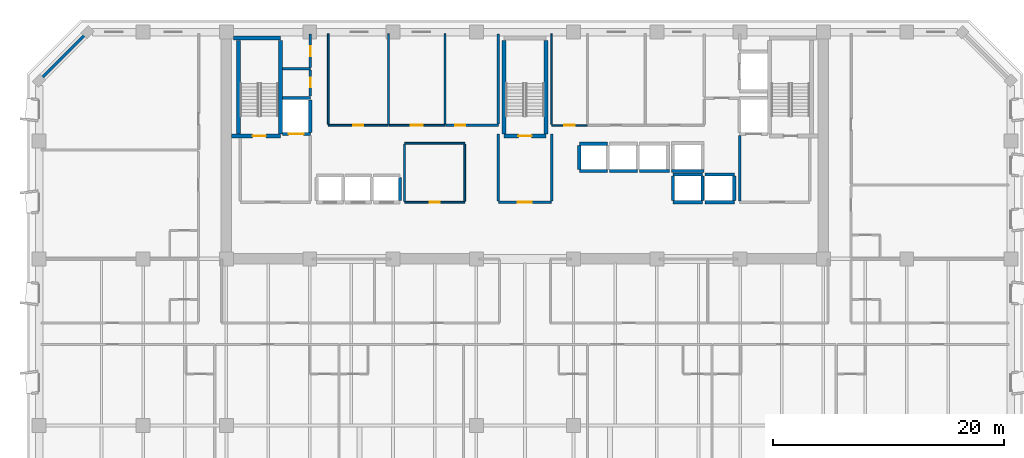
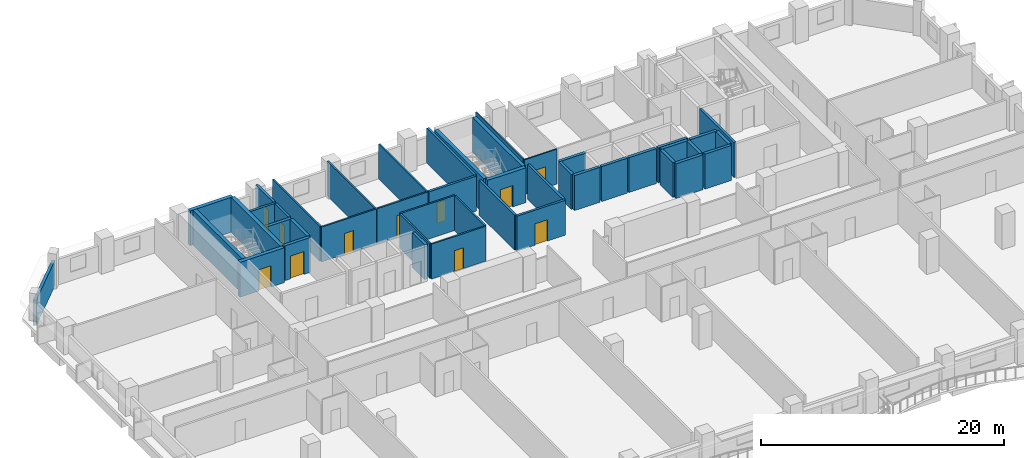
# One storey, part 7 of 15: 45 walls, 11 doors, 11 openings.
"""IFC4 building model written with IfcOpenShell, lengths in metres."""

from ifc_helpers import new_model, si_unit, direction, frame, frame_2d, origin, place, context, subcontext, project, spatial, rectangle, extrude, material, layer, layer_set, type_object, element, fill, save


model = new_model("IFC4")

# Units and contexts
model_context = context("Model", 3, precision=1e-05, world=origin(), true_north=direction((0.0, 1.0)))
body_context = subcontext(model_context, "Body", "Model", "MODEL_VIEW")
ifc_project = project(units=[si_unit("LENGTHUNIT", "METRE"), si_unit("AREAUNIT", "SQUARE_METRE"), si_unit("VOLUMEUNIT", "CUBIC_METRE"), si_unit("PLANEANGLEUNIT", "RADIAN"), si_unit("MASSUNIT", "GRAM", prefix="KILO")], contexts=[model_context])

# Site, building, storey
site_placement = place(None, origin())
site = spatial("IfcSite", under=ifc_project, at=site_placement, CompositionType="ELEMENT")
building_placement = place(site_placement, origin())
building = spatial("IfcBuilding", under=site, at=building_placement, Name="Kaelvorn Grand Hotel", CompositionType="ELEMENT")
storey_placement = place(building_placement, frame((0.0, 0.0, 100.550048828125)))
storey = spatial("IfcBuildingStorey", under=building, at=storey_placement, Name="L23", CompositionType="ELEMENT", Elevation=100.550048828125)

# Wall
ifc_material_1 = material(Name="Concrete C40/50", Category="concrete")
ifc_layer_1 = layer(ifc_material_1, 0.260009765625)
ifc_layer_set_1 = layer_set([ifc_layer_1], Name="Concrete C40/50")
wall_type_1 = type_object("IfcWallType", Name="WL-EXT-260-C40", PredefinedType="SOLIDWALL", material=ifc_layer_set_1)
wall_1_placement = place(storey_placement, frame((4.199951171875, 49.0, 0.0), z_axis=(0.0, 0.0, 1.0), x_axis=(-0.707106781187, -0.707106781187, 0.0)))
element("IfcWall", 1, at=wall_1_placement, inside=storey, type_object=wall_type_1, Name="L23 Exterior Architectural Concrete Wall 06", PredefinedType="SOLIDWALL", context=body_context, shape_type="SweptSolid", body=[
    extrude(rectangle(XDim=5.939697265625, YDim=0.260009765625, at=frame_2d((2.9697265625, 0.0))), origin(), (0.0, 0.0, 1.0), 2.56005859375),
])

# Wall, opening, door
ifc_material_2 = material(Name="Moisture-Resistant Tile & Stud Board")
ifc_layer_2 = layer(ifc_material_2, 0.125)
ifc_layer_set_2 = layer_set([ifc_layer_2], Name="Moisture-Resistant Tile & Stud Board")
wall_type_2 = type_object("IfcWallType", Name="WL-PART-125-WET", PredefinedType="PARTITIONING", material=ifc_layer_set_2)
wall_2_placement = place(storey_placement, frame((44.300048828125, 40.949951171875, 0.0), z_axis=(0.0, 0.0, 1.0), x_axis=(1.0, 0.0, 0.0)))
wall_2 = element("IfcWall", 2, at=wall_2_placement, inside=storey, type_object=wall_type_2, Name="L23 Accessible WC S Partition", PredefinedType="PARTITIONING", context=body_context, shape_type="SweptSolid", body=[
    extrude(rectangle(XDim=3.099853515625, YDim=0.125, at=frame_2d((1.5498046875, 0.0))), origin(), (0.0, 0.0, 1.0), 3.510009765625),
])
opening_1_placement = place(wall_2_placement, frame((1.10009765625, 0.0, 0.0)))
opening_1 = element("IfcOpeningElement", 3, at=opening_1_placement, cuts=wall_2, Name="Opening DI4", PredefinedType="OPENING", context=body_context, shape_type="SweptSolid", body=[
    extrude(rectangle(XDim=0.89990234375, YDim=2.10009765625, at=frame_2d((0.449951171875, 1.050048828125))), frame((0.0, 0.072509765625, 0.0), z_axis=(0.0, -1.0, 0.0), x_axis=(1.0, 0.0, 0.0)), (0.0, 0.0, 1.0), 0.14501953125),
])
ifc_material_3 = material(Name="Timber Veneer Leaf", Category="wood")
door_type_1 = type_object("IfcDoorType", Name="DR-INT-BATH-900x2100", OperationType="NOTDEFINED", PredefinedType="DOOR", material=ifc_material_3)
door_1_placement = place(opening_1_placement, origin())
door_1 = element("IfcDoor", 4, at=door_1_placement, inside=storey, type_object=door_type_1, Name="L23 Accessible WC Door", OperationType="SINGLE_SWING_LEFT", OverallHeight=2.10009765625, OverallWidth=0.89990234375, PredefinedType="DOOR", context=body_context, shape_type="SweptSolid", body=[
    extrude(rectangle(XDim=0.89990234375, YDim=2.10009765625, at=frame_2d((0.449951171875, 1.050048828125))), frame((0.0, 0.02490234375, 0.0), z_axis=(0.0, -1.0, 0.0), x_axis=(1.0, 0.0, 0.0)), (0.0, 0.0, 1.0), 0.050048828125),
])
fill(opening_1, door_1)

# Wall
wall_3_placement = place(storey_placement, frame((44.300048828125, 41.017578125, 0.0), z_axis=(0.0, 0.0, 1.0), x_axis=(0.0, 1.0, 0.0)))
element("IfcWall", 5, at=wall_3_placement, inside=storey, type_object=wall_type_2, Name="L23 Accessible WC W Partition", PredefinedType="PARTITIONING", context=body_context, shape_type="SweptSolid", body=[
    extrude(rectangle(XDim=7.83251953125, YDim=0.125, at=frame_2d((3.916259765625, 0.0))), origin(), (0.0, 0.0, 1.0), 3.510009765625),
])

# Wall, opening, door
ifc_material_4 = material(Name="Acoustic Gypsum & Stud Partition")
ifc_layer_3 = layer(ifc_material_4, 0.14990234375)
ifc_layer_set_3 = layer_set([ifc_layer_3], Name="Acoustic Gypsum & Stud Partition")
wall_type_3 = type_object("IfcWallType", Name="WL-PART-150-EI60", PredefinedType="PARTITIONING", material=ifc_layer_set_3)
wall_4_placement = place(storey_placement, frame((31.60009765625, 34.300048828125, 0.0), z_axis=(0.0, 0.0, 1.0), x_axis=(1.0, 0.0, 0.0)))
wall_4 = element("IfcWall", 6, at=wall_4_placement, inside=storey, type_object=wall_type_3, Name="L23 Core Telecoms & BMS Server Room S Partition", PredefinedType="PARTITIONING", context=body_context, shape_type="SweptSolid", body=[
    extrude(rectangle(XDim=5.199951171875, YDim=0.14990234375, at=frame_2d((2.60009765625, 0.0))), origin(), (0.0, 0.0, 1.0), 3.510009765625),
])
opening_2_placement = place(wall_4_placement, frame((2.175048828125, 0.0, 0.0)))
opening_2 = element("IfcOpeningElement", 7, at=opening_2_placement, cuts=wall_4, Name="Opening DI7", PredefinedType="OPENING", context=body_context, shape_type="SweptSolid", body=[
    extrude(rectangle(XDim=0.85009765625, YDim=2.10009765625, at=frame_2d((0.425048828125, 1.050048828125))), frame((0.0, 0.0849609375, 0.0), z_axis=(0.0, -1.0, 0.0), x_axis=(1.0, 0.0, 0.0)), (0.0, 0.0, 1.0), 0.169921875),
])
ifc_material_5 = material(Name="Powder-Coated Steel Leaf", Category="steel")
door_type_2 = type_object("IfcDoorType", Name="DR-INT-RISER-850x2100", OperationType="NOTDEFINED", PredefinedType="DOOR", material=ifc_material_5)
door_2_placement = place(opening_2_placement, origin())
door_2 = element("IfcDoor", 8, at=door_2_placement, inside=storey, type_object=door_type_2, Name="L23 Core Telecoms & BMS Server Room Door", OperationType="SINGLE_SWING_LEFT", OverallHeight=2.10009765625, OverallWidth=0.85009765625, PredefinedType="DOOR", context=body_context, shape_type="SweptSolid", body=[
    extrude(rectangle(XDim=0.85009765625, YDim=2.10009765625, at=frame_2d((0.425048828125, 1.050048828125))), frame((0.0, 0.02490234375, 0.0), z_axis=(0.0, -1.0, 0.0), x_axis=(1.0, 0.0, 0.0)), (0.0, 0.0, 1.0), 0.050048828125),
])
fill(opening_2, door_2)

# Walls
wall_5_placement = place(storey_placement, frame((31.60009765625, 39.39990234375, 0.0), z_axis=(0.0, 0.0, 1.0), x_axis=(1.0, 0.0, 0.0)))
element("IfcWall", 9, at=wall_5_placement, inside=storey, type_object=wall_type_3, Name="L23 Core Telecoms & BMS Server Room N Partition", PredefinedType="PARTITIONING", context=body_context, shape_type="SweptSolid", body=[
    extrude(rectangle(XDim=5.199951171875, YDim=0.14990234375, at=frame_2d((2.60009765625, 0.0))), origin(), (0.0, 0.0, 1.0), 3.510009765625),
])
for number, where, z_axis, x_axis, name in (
    (10, (31.60009765625, 34.3798828125, 0.0), (0.0, 0.0, 1.0), (0.0, 1.0, 0.0), "L23 Core Telecoms & BMS Server Room W Partition"),
    (11, (36.800048828125, 34.3798828125, 0.0), (0.0, 0.0, 1.0), (0.0, 1.0, 0.0), "L23 Core Telecoms & BMS Server Room E Partition"),
):
    element("IfcWall", number, at=place(storey_placement, frame(where, z_axis=z_axis, x_axis=x_axis)), inside=storey, type_object=wall_type_3, Name=name, PredefinedType="PARTITIONING", context=body_context, shape_type="SweptSolid", body=[
        extrude(rectangle(XDim=4.940185546875, YDim=0.14990234375, at=frame_2d((2.47021484375, 0.0))), origin(), (0.0, 0.0, 1.0), 3.510009765625),
    ])

# Wall, opening, door
wall_6_placement = place(storey_placement, frame((25.0, 40.949951171875, 0.0), z_axis=(0.0, 0.0, 1.0), x_axis=(1.0, 0.0, 0.0)))
wall_6 = element("IfcWall", 12, at=wall_6_placement, inside=storey, type_object=wall_type_3, Name="L23 Housekeeping & Linen Room S Partition", PredefinedType="PARTITIONING", context=body_context, shape_type="SweptSolid", body=[
    extrude(rectangle(XDim=5.199951171875, YDim=0.14990234375, at=frame_2d((2.60009765625, 0.0))), origin(), (0.0, 0.0, 1.0), 3.510009765625),
])
opening_3_placement = place(wall_6_placement, frame((2.175048828125, 0.0, 0.0)))
opening_3 = element("IfcOpeningElement", 13, at=opening_3_placement, cuts=wall_6, Name="Opening DI7", PredefinedType="OPENING", context=body_context, shape_type="SweptSolid", body=[
    extrude(rectangle(XDim=0.85009765625, YDim=2.10009765625, at=frame_2d((0.425048828125, 1.050048828125))), frame((0.0, 0.0849609375, 0.0), z_axis=(0.0, -1.0, 0.0), x_axis=(1.0, 0.0, 0.0)), (0.0, 0.0, 1.0), 0.169921875),
])
door_3_placement = place(opening_3_placement, origin())
door_3 = element("IfcDoor", 14, at=door_3_placement, inside=storey, type_object=door_type_2, Name="L23 Housekeeping & Linen Room Door", OperationType="SINGLE_SWING_RIGHT", OverallHeight=2.10009765625, OverallWidth=0.85009765625, PredefinedType="DOOR", context=body_context, shape_type="SweptSolid", body=[
    extrude(rectangle(XDim=0.85009765625, YDim=2.10009765625, at=frame_2d((0.425048828125, 1.050048828125))), frame((0.0, 0.02490234375, 0.0), z_axis=(0.0, -1.0, 0.0), x_axis=(1.0, 0.0, 0.0)), (0.0, 0.0, 1.0), 0.050048828125),
])
fill(opening_3, door_3)

# Walls
for number, where, z_axis, x_axis, name in (
    (15, (25.0, 41.030029296875, 0.0), (0.0, 0.0, 1.0), (0.0, 1.0, 0.0), "L23 Housekeeping & Linen Room W Partition"),
    (16, (30.199951171875, 41.030029296875, 0.0), (0.0, 0.0, 1.0), (0.0, 1.0, 0.0), "L23 Housekeeping & Linen Room E Partition"),
):
    element("IfcWall", number, at=place(storey_placement, frame(where, z_axis=z_axis, x_axis=x_axis)), inside=storey, type_object=wall_type_3, Name=name, PredefinedType="PARTITIONING", context=body_context, shape_type="SweptSolid", body=[
        extrude(rectangle(XDim=7.820068359375, YDim=0.14990234375, at=frame_2d((3.91015625, 0.0))), origin(), (0.0, 0.0, 1.0), 3.510009765625),
    ])

# Wall, opening, door
wall_7_placement = place(storey_placement, frame((30.280029296875, 40.949951171875, 0.0), z_axis=(0.0, 0.0, 1.0), x_axis=(1.0, 0.0, 0.0)))
wall_7 = element("IfcWall", 17, at=wall_7_placement, inside=storey, type_object=wall_type_3, Name="L23 Room Service Servery Pantry S Partition", PredefinedType="PARTITIONING", context=body_context, shape_type="SweptSolid", body=[
    extrude(rectangle(XDim=4.820068359375, YDim=0.14990234375, at=frame_2d((2.41015625, 0.0))), origin(), (0.0, 0.0, 1.0), 3.510009765625),
])
opening_4_placement = place(wall_7_placement, frame((1.8701171875, 0.0, 0.0)))
opening_4 = element("IfcOpeningElement", 18, at=opening_4_placement, cuts=wall_7, Name="Opening DI3", PredefinedType="OPENING", context=body_context, shape_type="SweptSolid", body=[
    extrude(rectangle(XDim=1.0, YDim=2.14990234375, at=frame_2d((0.5, 1.074951171875))), frame((0.0, 0.0849609375, 0.0), z_axis=(0.0, -1.0, 0.0), x_axis=(1.0, 0.0, 0.0)), (0.0, 0.0, 1.0), 0.169921875),
])
ifc_material_6 = material(Name="Timber Veneer Fire Leaf", Category="wood")
door_type_3 = type_object("IfcDoorType", Name="DR-INT-GUEST-1000x2150", OperationType="NOTDEFINED", PredefinedType="DOOR", material=ifc_material_6)
door_4_placement = place(opening_4_placement, origin())
door_4 = element("IfcDoor", 19, at=door_4_placement, inside=storey, type_object=door_type_3, Name="L23 Room Service Servery Pantry Door", OperationType="SINGLE_SWING_LEFT", OverallHeight=2.14990234375, OverallWidth=1.0, PredefinedType="DOOR", context=body_context, shape_type="SweptSolid", body=[
    extrude(rectangle(XDim=1.0, YDim=2.14990234375, at=frame_2d((0.5, 1.074951171875))), frame((0.0, 0.02490234375, 0.0), z_axis=(0.0, -1.0, 0.0), x_axis=(1.0, 0.0, 0.0)), (0.0, 0.0, 1.0), 0.050048828125),
])
fill(opening_4, door_4)

# Walls
wall_8_placement = place(storey_placement, frame((35.10009765625, 41.030029296875, 0.0), z_axis=(0.0, 0.0, 1.0), x_axis=(0.0, 1.0, 0.0)))
element("IfcWall", 20, at=wall_8_placement, inside=storey, type_object=wall_type_3, Name="L23 Room Service Servery Pantry E Partition", PredefinedType="PARTITIONING", context=body_context, shape_type="SweptSolid", body=[
    extrude(rectangle(XDim=7.820068359375, YDim=0.14990234375, at=frame_2d((3.91015625, 0.0))), origin(), (0.0, 0.0, 1.0), 3.510009765625),
])
ifc_layer_4 = layer(ifc_material_1, 0.219970703125)
ifc_layer_set_4 = layer_set([ifc_layer_4], Name="Concrete C40/50")
wall_type_4 = type_object("IfcWallType", Name="WL-PART-220-EI120", PredefinedType="PARTITIONING", material=ifc_layer_set_4)
wall_9_placement = place(storey_placement, frame((60.550048828125, 34.4150390625, 0.0), z_axis=(0.0, 0.0, 1.0), x_axis=(0.0, 1.0, 0.0)))
element("IfcWall", 21, at=wall_9_placement, inside=storey, type_object=wall_type_4, Name="L23 Firefighting Lift Lobby 2 W Partition", PredefinedType="PARTITIONING", context=body_context, shape_type="SweptSolid", body=[
    extrude(rectangle(XDim=5.639892578125, YDim=0.219970703125, at=frame_2d((2.81982421875, 0.0))), origin(), (0.0, 0.0, 1.0), 3.510009765625),
])

# Wall, opening, door
wall_10_placement = place(storey_placement, frame((39.699951171875, 34.300048828125, 0.0), z_axis=(0.0, 0.0, 1.0), x_axis=(1.0, 0.0, 0.0)))
wall_10 = element("IfcWall", 22, at=wall_10_placement, inside=storey, type_object=wall_type_4, Name="L23 Central Stair Escape Vestibule S Partition", PredefinedType="PARTITIONING", context=body_context, shape_type="SweptSolid", body=[
    extrude(rectangle(XDim=4.60009765625, YDim=0.219970703125, at=frame_2d((2.300048828125, 0.0))), origin(), (0.0, 0.0, 1.0), 3.510009765625),
])
opening_5_placement = place(wall_10_placement, frame((1.699951171875, 0.0, 0.0)))
opening_5 = element("IfcOpeningElement", 23, at=opening_5_placement, cuts=wall_10, Name="Opening DI2", PredefinedType="OPENING", context=body_context, shape_type="SweptSolid", body=[
    extrude(rectangle(XDim=1.199951171875, YDim=2.14990234375, at=frame_2d((0.60009765625, 1.074951171875))), frame((0.0, 0.1201171875, 0.0), z_axis=(0.0, -1.0, 0.0), x_axis=(1.0, 0.0, 0.0)), (0.0, 0.0, 1.0), 0.239990234375),
])
door_type_4 = type_object("IfcDoorType", Name="DR-INT-FFLOB-1200x2150", OperationType="NOTDEFINED", PredefinedType="DOOR", material=ifc_material_6)
door_5_placement = place(opening_5_placement, origin())
door_5 = element("IfcDoor", 24, at=door_5_placement, inside=storey, type_object=door_type_4, Name="L23 Central Stair Escape Vestibule Door", OperationType="SINGLE_SWING_LEFT", OverallHeight=2.14990234375, OverallWidth=1.199951171875, PredefinedType="DOOR", context=body_context, shape_type="SweptSolid", body=[
    extrude(rectangle(XDim=1.199951171875, YDim=2.14990234375, at=frame_2d((0.60009765625, 1.074951171875))), frame((0.0, 0.02490234375, 0.0), z_axis=(0.0, -1.0, 0.0), x_axis=(1.0, 0.0, 0.0)), (0.0, 0.0, 1.0), 0.050048828125),
])
fill(opening_5, door_5)

# Walls
for number, where, z_axis, x_axis, name in (
    (25, (39.699951171875, 34.4150390625, 0.0), (0.0, 0.0, 1.0), (0.0, 1.0, 0.0), "L23 Central Stair Escape Vestibule W Partition"),
    (26, (44.300048828125, 34.4150390625, 0.0), (0.0, 0.0, 1.0), (0.0, 1.0, 0.0), "L23 Central Stair Escape Vestibule E Partition"),
):
    element("IfcWall", number, at=place(storey_placement, frame(where, z_axis=z_axis, x_axis=x_axis)), inside=storey, type_object=wall_type_4, Name=name, PredefinedType="PARTITIONING", context=body_context, shape_type="SweptSolid", body=[
        extrude(rectangle(XDim=5.784912109375, YDim=0.219970703125, at=frame_2d((2.892578125, 0.0))), origin(), (0.0, 0.0, 1.0), 3.510009765625),
    ])
wall_11_placement = place(storey_placement, frame((21.034912109375, 45.85009765625, 0.0), z_axis=(0.0, 0.0, 1.0), x_axis=(1.0, 0.0, 0.0)))
element("IfcWall", 27, at=wall_11_placement, inside=storey, type_object=wall_type_4, Name="L23 Wet Fire & Plumbing Riser Shaft N Partition", PredefinedType="PARTITIONING", context=body_context, shape_type="SweptSolid", body=[
    extrude(rectangle(XDim=2.4150390625, YDim=0.219970703125, at=frame_2d((1.20751953125, 0.0))), origin(), (0.0, 0.0, 1.0), 3.510009765625),
])

# Wall, opening, door
wall_12_placement = place(storey_placement, frame((23.449951171875, 43.5, 0.0), z_axis=(0.0, 0.0, 1.0), x_axis=(0.0, 1.0, 0.0)))
wall_12 = element("IfcWall", 28, at=wall_12_placement, inside=storey, type_object=wall_type_4, Name="L23 Wet Fire & Plumbing Riser Shaft E Partition", PredefinedType="PARTITIONING", context=body_context, shape_type="SweptSolid", body=[
    extrude(rectangle(XDim=2.235107421875, YDim=0.219970703125, at=frame_2d((1.11767578125, 0.0))), origin(), (0.0, 0.0, 1.0), 3.510009765625),
])
opening_6_placement = place(wall_12_placement, frame((0.72509765625, 0.0, 0.0)))
opening_6 = element("IfcOpeningElement", 29, at=opening_6_placement, cuts=wall_12, Name="Opening DI7", PredefinedType="OPENING", context=body_context, shape_type="SweptSolid", body=[
    extrude(rectangle(XDim=0.85009765625, YDim=2.10009765625, at=frame_2d((0.425048828125, 1.050048828125))), frame((0.0, 0.1201171875, 0.0), z_axis=(0.0, -1.0, 0.0), x_axis=(1.0, 0.0, 0.0)), (0.0, 0.0, 1.0), 0.239990234375),
])
door_6_placement = place(opening_6_placement, origin())
door_6 = element("IfcDoor", 30, at=door_6_placement, inside=storey, type_object=door_type_2, Name="L23 Wet Fire & Plumbing Riser Shaft Door", OperationType="SINGLE_SWING_LEFT", OverallHeight=2.10009765625, OverallWidth=0.85009765625, PredefinedType="DOOR", context=body_context, shape_type="SweptSolid", body=[
    extrude(rectangle(XDim=0.85009765625, YDim=2.10009765625, at=frame_2d((0.425048828125, 1.050048828125))), frame((0.0, 0.02490234375, 0.0), z_axis=(0.0, -1.0, 0.0), x_axis=(1.0, 0.0, 0.0)), (0.0, 0.0, 1.0), 0.050048828125),
])
fill(opening_6, door_6)

wall_13_placement = place(storey_placement, frame((23.449951171875, 45.965087890625, 0.0), z_axis=(0.0, 0.0, 1.0), x_axis=(0.0, 1.0, 0.0)))
wall_13 = element("IfcWall", 31, at=wall_13_placement, inside=storey, type_object=wall_type_4, Name="L23 HV Electrical & Smoke Riser E Partition", PredefinedType="PARTITIONING", context=body_context, shape_type="SweptSolid", body=[
    extrude(rectangle(XDim=2.885009765625, YDim=0.219970703125, at=frame_2d((1.4423828125, 0.0))), origin(), (0.0, 0.0, 1.0), 3.510009765625),
])
opening_7_placement = place(wall_13_placement, frame((0.9599609375, 0.0, 0.0)))
opening_7 = element("IfcOpeningElement", 32, at=opening_7_placement, cuts=wall_13, Name="Opening DI7", PredefinedType="OPENING", context=body_context, shape_type="SweptSolid", body=[
    extrude(rectangle(XDim=0.85009765625, YDim=2.10009765625, at=frame_2d((0.425048828125, 1.050048828125))), frame((0.0, 0.1201171875, 0.0), z_axis=(0.0, -1.0, 0.0), x_axis=(1.0, 0.0, 0.0)), (0.0, 0.0, 1.0), 0.239990234375),
])
door_7_placement = place(opening_7_placement, origin())
door_7 = element("IfcDoor", 33, at=door_7_placement, inside=storey, type_object=door_type_2, Name="L23 HV Electrical & Smoke Riser Door", OperationType="SINGLE_SWING_RIGHT", OverallHeight=2.10009765625, OverallWidth=0.85009765625, PredefinedType="DOOR", context=body_context, shape_type="SweptSolid", body=[
    extrude(rectangle(XDim=0.85009765625, YDim=2.10009765625, at=frame_2d((0.425048828125, 1.050048828125))), frame((0.0, 0.02490234375, 0.0), z_axis=(0.0, -1.0, 0.0), x_axis=(1.0, 0.0, 0.0)), (0.0, 0.0, 1.0), 0.050048828125),
])
fill(opening_7, door_7)

wall_14_placement = place(storey_placement, frame((35.179931640625, 40.949951171875, 0.0), z_axis=(0.0, 0.0, 1.0), x_axis=(1.0, 0.0, 0.0)))
wall_14 = element("IfcWall", 34, at=wall_14_placement, inside=storey, type_object=wall_type_4, Name="L23 Floor Electrical Switchroom S Partition", PredefinedType="PARTITIONING", context=body_context, shape_type="SweptSolid", body=[
    extrude(rectangle(XDim=4.52001953125, YDim=0.219970703125, at=frame_2d((2.260009765625, 0.0))), origin(), (0.0, 0.0, 1.0), 3.510009765625),
])
opening_8_placement = place(wall_14_placement, frame((0.794921875, 0.0, 0.0)))
opening_8 = element("IfcOpeningElement", 35, at=opening_8_placement, cuts=wall_14, Name="Opening DI7", PredefinedType="OPENING", context=body_context, shape_type="SweptSolid", body=[
    extrude(rectangle(XDim=0.85009765625, YDim=2.10009765625, at=frame_2d((0.425048828125, 1.050048828125))), frame((0.0, 0.1201171875, 0.0), z_axis=(0.0, -1.0, 0.0), x_axis=(1.0, 0.0, 0.0)), (0.0, 0.0, 1.0), 0.239990234375),
])
door_8_placement = place(opening_8_placement, origin())
door_8 = element("IfcDoor", 36, at=door_8_placement, inside=storey, type_object=door_type_2, Name="L23 Floor Electrical Switchroom Door", OperationType="SINGLE_SWING_RIGHT", OverallHeight=2.10009765625, OverallWidth=0.85009765625, PredefinedType="DOOR", context=body_context, shape_type="SweptSolid", body=[
    extrude(rectangle(XDim=0.85009765625, YDim=2.10009765625, at=frame_2d((0.425048828125, 1.050048828125))), frame((0.0, 0.02490234375, 0.0), z_axis=(0.0, -1.0, 0.0), x_axis=(1.0, 0.0, 0.0)), (0.0, 0.0, 1.0), 0.050048828125),
])
fill(opening_8, door_8)

# Walls
wall_15_placement = place(storey_placement, frame((39.699951171875, 41.06494140625, 0.0), z_axis=(0.0, 0.0, 1.0), x_axis=(0.0, 1.0, 0.0)))
element("IfcWall", 37, at=wall_15_placement, inside=storey, type_object=wall_type_4, Name="L23 Floor Electrical Switchroom E Partition", PredefinedType="PARTITIONING", context=body_context, shape_type="SweptSolid", body=[
    extrude(rectangle(XDim=7.78515625, YDim=0.219970703125, at=frame_2d((3.892578125, 0.0))), origin(), (0.0, 0.0, 1.0), 3.510009765625),
])
ifc_material_7 = material(Name="Concrete C50/60", Category="concrete")
ifc_layer_5 = layer(ifc_material_7, 0.280029296875)
ifc_layer_set_5 = layer_set([ifc_layer_5], Name="Concrete C50/60")
wall_type_5 = type_object("IfcWallType", Name="WL-SHAFT-280-C50", PredefinedType="SHEAR", material=ifc_layer_set_5)
wall_16_placement = place(storey_placement, frame((31.199951171875, 34.445068359375, 0.0), z_axis=(0.0, 0.0, 1.0), x_axis=(0.0, 1.0, 0.0)))
element("IfcWall", 38, at=wall_16_placement, inside=storey, type_object=wall_type_5, Name="L23 Lift PL-L3 Shaft East Wall", PredefinedType="SHEAR", context=body_context, shape_type="SweptSolid", body=[
    extrude(rectangle(XDim=2.010009765625, YDim=0.280029296875, at=frame_2d((1.0048828125, 0.0))), origin(), (0.0, 0.0, 1.0), 3.510009765625),
])
for number, where, z_axis, x_axis, name in (
    (39, (46.699951171875, 37.0, 0.0), (0.0, 0.0, 1.0), (1.0, 0.0, 0.0), "L23 Lift SL-1 Shaft South Wall"),
    (40, (46.699951171875, 39.35009765625, 0.0), (0.0, 0.0, 1.0), (1.0, 0.0, 0.0), "L23 Lift SL-1 Shaft North Wall"),
):
    element("IfcWall", number, at=place(storey_placement, frame(where, z_axis=z_axis, x_axis=x_axis)), inside=storey, type_object=wall_type_5, Name=name, PredefinedType="SHEAR", context=body_context, shape_type="SweptSolid", body=[
        extrude(rectangle(XDim=2.449951171875, YDim=0.280029296875, at=frame_2d((1.22509765625, 0.0))), origin(), (0.0, 0.0, 1.0), 3.510009765625),
    ])
wall_17_placement = place(storey_placement, frame((46.699951171875, 37.14501953125, 0.0), z_axis=(0.0, 0.0, 1.0), x_axis=(0.0, 1.0, 0.0)))
element("IfcWall", 41, at=wall_17_placement, inside=storey, type_object=wall_type_5, Name="L23 Lift SL-1 Shaft West Wall", PredefinedType="SHEAR", context=body_context, shape_type="SweptSolid", body=[
    extrude(rectangle(XDim=2.06005859375, YDim=0.280029296875, at=frame_2d((1.030029296875, 0.0))), origin(), (0.0, 0.0, 1.0), 3.510009765625),
])
wall_18_placement = place(storey_placement, frame((49.300048828125, 37.0, 0.0), z_axis=(0.0, 0.0, 1.0), x_axis=(1.0, 0.0, 0.0)))
element("IfcWall", 42, at=wall_18_placement, inside=storey, type_object=wall_type_5, Name="L23 Lift SL-2 Shaft South Wall", PredefinedType="SHEAR", context=body_context, shape_type="SweptSolid", body=[
    extrude(rectangle(XDim=2.449951171875, YDim=0.280029296875, at=frame_2d((1.22509765625, 0.0))), origin(), (0.0, 0.0, 1.0), 3.510009765625),
])
wall_19_placement = place(storey_placement, frame((51.89990234375, 37.0, 0.0), z_axis=(0.0, 0.0, 1.0), x_axis=(1.0, 0.0, 0.0)))
element("IfcWall", 43, at=wall_19_placement, inside=storey, type_object=wall_type_5, Name="L23 Lift SL-3 Shaft South Wall", PredefinedType="SHEAR", context=body_context, shape_type="SweptSolid", body=[
    extrude(rectangle(XDim=2.590087890625, YDim=0.280029296875, at=frame_2d((1.294921875, 0.0))), origin(), (0.0, 0.0, 1.0), 3.510009765625),
])
for number, where, z_axis, x_axis, name in (
    (44, (54.800048828125, 34.300048828125, 0.0), (0.0, 0.0, 1.0), (1.0, 0.0, 0.0), "L23 Lift OL-1 Shaft South Wall"),
    (45, (54.800048828125, 36.699951171875, 0.0), (0.0, 0.0, 1.0), (1.0, 0.0, 0.0), "L23 Lift OL-1 Shaft North Wall"),
):
    element("IfcWall", number, at=place(storey_placement, frame(where, z_axis=z_axis, x_axis=x_axis)), inside=storey, type_object=wall_type_5, Name=name, PredefinedType="SHEAR", context=body_context, shape_type="SweptSolid", body=[
        extrude(rectangle(XDim=2.550048828125, YDim=0.280029296875, at=frame_2d((1.27490234375, 0.0))), origin(), (0.0, 0.0, 1.0), 3.510009765625),
    ])
for number, where, z_axis, x_axis, name in (
    (46, (54.800048828125, 34.445068359375, 0.0), (0.0, 0.0, 1.0), (0.0, 1.0, 0.0), "L23 Lift OL-1 Shaft West Wall"),
    (47, (57.35009765625, 34.445068359375, 0.0), (0.0, 0.0, 1.0), (0.0, 1.0, 0.0), "L23 Lift OL-1 Shaft East Wall"),
):
    element("IfcWall", number, at=place(storey_placement, frame(where, z_axis=z_axis, x_axis=x_axis)), inside=storey, type_object=wall_type_5, Name=name, PredefinedType="SHEAR", context=body_context, shape_type="SweptSolid", body=[
        extrude(rectangle(XDim=2.10986328125, YDim=0.280029296875, at=frame_2d((1.054931640625, 0.0))), origin(), (0.0, 0.0, 1.0), 3.510009765625),
    ])
for number, where, z_axis, x_axis, name in (
    (48, (57.550048828125, 34.300048828125, 0.0), (0.0, 0.0, 1.0), (1.0, 0.0, 0.0), "L23 Lift OL-2 Shaft South Wall"),
    (49, (57.550048828125, 36.699951171875, 0.0), (0.0, 0.0, 1.0), (1.0, 0.0, 0.0), "L23 Lift OL-2 Shaft North Wall"),
):
    element("IfcWall", number, at=place(storey_placement, frame(where, z_axis=z_axis, x_axis=x_axis)), inside=storey, type_object=wall_type_5, Name=name, PredefinedType="SHEAR", context=body_context, shape_type="SweptSolid", body=[
        extrude(rectangle(XDim=2.550048828125, YDim=0.280029296875, at=frame_2d((1.27490234375, 0.0))), origin(), (0.0, 0.0, 1.0), 3.510009765625),
    ])
wall_20_placement = place(storey_placement, frame((60.10009765625, 34.445068359375, 0.0), z_axis=(0.0, 0.0, 1.0), x_axis=(0.0, 1.0, 0.0)))
element("IfcWall", 50, at=wall_20_placement, inside=storey, type_object=wall_type_5, Name="L23 Lift OL-2 Shaft East Wall", PredefinedType="SHEAR", context=body_context, shape_type="SweptSolid", body=[
    extrude(rectangle(XDim=2.10986328125, YDim=0.280029296875, at=frame_2d((1.054931640625, 0.0))), origin(), (0.0, 0.0, 1.0), 3.510009765625),
])
wall_21_placement = place(storey_placement, frame((54.659912109375, 37.0, 0.0), z_axis=(0.0, 0.0, 1.0), x_axis=(1.0, 0.0, 0.0)))
element("IfcWall", 51, at=wall_21_placement, inside=storey, type_object=wall_type_5, Name="L23 Lift OL-3 Shaft South Wall", PredefinedType="SHEAR", context=body_context, shape_type="SweptSolid", body=[
    extrude(rectangle(XDim=2.830078125, YDim=0.280029296875, at=frame_2d((1.4150390625, 0.0))), origin(), (0.0, 0.0, 1.0), 3.510009765625),
])

# Wall, opening, door
wall_22_placement = place(storey_placement, frame((21.034912109375, 40.199951171875, 0.0), z_axis=(0.0, 0.0, 1.0), x_axis=(1.0, 0.0, 0.0)))
wall_22 = element("IfcWall", 52, at=wall_22_placement, inside=storey, type_object=wall_type_5, Name="L23 Lift FFL1 Shaft South Wall", PredefinedType="SHEAR", context=body_context, shape_type="SweptSolid", body=[
    extrude(rectangle(XDim=2.4150390625, YDim=0.280029296875, at=frame_2d((1.20751953125, 0.0))), origin(), (0.0, 0.0, 1.0), 3.510009765625),
])
opening_9_placement = place(wall_22_placement, frame((0.5400390625, 0.0, 0.0)))
opening_9 = element("IfcOpeningElement", 53, at=opening_9_placement, cuts=wall_22, Name="Opening LD-FFL1", PredefinedType="OPENING", context=body_context, shape_type="SweptSolid", body=[
    extrude(rectangle(XDim=1.300048828125, YDim=2.300048828125, at=frame_2d((0.64990234375, 1.14990234375))), frame((0.0, 0.14990234375, 0.0), z_axis=(0.0, -1.0, 0.0), x_axis=(1.0, 0.0, 0.0)), (0.0, 0.0, 1.0), 0.300048828125),
])
ifc_material_8 = material(Name="Stainless Steel", Category="steel")
door_type_5 = type_object("IfcDoorType", Name="DR-LIFT-SERV-1300x2300", OperationType="DOUBLE_DOOR_SLIDING", PredefinedType="DOOR", material=ifc_material_8)
door_9_placement = place(opening_9_placement, origin())
door_9 = element("IfcDoor", 54, at=door_9_placement, inside=storey, type_object=door_type_5, Name="L23 Lift FFL1 Sliding Landing Door LD-FFL1", OperationType="DOUBLE_DOOR_SLIDING", OverallHeight=2.300048828125, OverallWidth=1.300048828125, PredefinedType="DOOR", context=body_context, shape_type="SweptSolid", body=[
    extrude(rectangle(XDim=1.300048828125, YDim=2.300048828125, at=frame_2d((0.64990234375, 1.14990234375))), frame((0.0, 0.02490234375, 0.0), z_axis=(0.0, -1.0, 0.0), x_axis=(1.0, 0.0, 0.0)), (0.0, 0.0, 1.0), 0.050048828125),
])
fill(opening_9, door_9)

# Walls
wall_23_placement = place(storey_placement, frame((21.034912109375, 43.300048828125, 0.0), z_axis=(0.0, 0.0, 1.0), x_axis=(1.0, 0.0, 0.0)))
element("IfcWall", 55, at=wall_23_placement, inside=storey, type_object=wall_type_5, Name="L23 Lift FFL1 Shaft North Wall", PredefinedType="SHEAR", context=body_context, shape_type="SweptSolid", body=[
    extrude(rectangle(XDim=2.4150390625, YDim=0.280029296875, at=frame_2d((1.20751953125, 0.0))), origin(), (0.0, 0.0, 1.0), 3.510009765625),
])
wall_24_placement = place(storey_placement, frame((23.449951171875, 40.344970703125, 0.0), z_axis=(0.0, 0.0, 1.0), x_axis=(0.0, 1.0, 0.0)))
element("IfcWall", 56, at=wall_24_placement, inside=storey, type_object=wall_type_5, Name="L23 Lift FFL1 Shaft East Wall", PredefinedType="SHEAR", context=body_context, shape_type="SweptSolid", body=[
    extrude(rectangle(XDim=2.81005859375, YDim=0.280029296875, at=frame_2d((1.405029296875, 0.0))), origin(), (0.0, 0.0, 1.0), 3.510009765625),
])

# Wall, opening, door
ifc_material_9 = material(Name="Concrete C60/75", Category="concrete")
ifc_layer_6 = layer(ifc_material_9, 0.35009765625)
ifc_layer_set_6 = layer_set([ifc_layer_6], Name="Concrete C60/75")
wall_type_6 = type_object("IfcWallType", Name="WL-SHAFT-350-C60", PredefinedType="SHEAR", material=ifc_layer_set_6)
wall_25_placement = place(storey_placement, frame((16.655029296875, 40.02490234375, 0.0), z_axis=(0.0, 0.0, 1.0), x_axis=(1.0, 0.0, 0.0)))
wall_25 = element("IfcWall", 57, at=wall_25_placement, inside=storey, type_object=wall_type_6, Name="L23 ST1 Stair Shaft South Wall", PredefinedType="SHEAR", context=body_context, shape_type="SweptSolid", body=[
    extrude(rectangle(XDim=4.199951171875, YDim=0.35009765625, at=frame_2d((2.10009765625, 0.0))), origin(), (0.0, 0.0, 1.0), 3.510009765625),
])
opening_10_placement = place(wall_25_placement, frame((1.81005859375, 0.0, 0.0)))
opening_10 = element("IfcOpeningElement", 58, at=opening_10_placement, cuts=wall_25, Name="Opening DI1", PredefinedType="OPENING", context=body_context, shape_type="SweptSolid", body=[
    extrude(rectangle(XDim=1.14990234375, YDim=2.14990234375, at=frame_2d((0.574951171875, 1.074951171875))), frame((0.0, 0.18505859375, 0.0), z_axis=(0.0, -1.0, 0.0), x_axis=(1.0, 0.0, 0.0)), (0.0, 0.0, 1.0), 0.3701171875),
])
door_type_6 = type_object("IfcDoorType", Name="DR-INT-STAIR-1150x2150", OperationType="NOTDEFINED", PredefinedType="DOOR", material=ifc_material_6)
door_10_placement = place(opening_10_placement, origin())
door_10 = element("IfcDoor", 59, at=door_10_placement, inside=storey, type_object=door_type_6, Name="L23 ST1 Exit Stair Fire Door", OperationType="SINGLE_SWING_RIGHT", OverallHeight=2.14990234375, OverallWidth=1.14990234375, PredefinedType="DOOR", context=body_context, shape_type="SweptSolid", body=[
    extrude(rectangle(XDim=1.14990234375, YDim=2.14990234375, at=frame_2d((0.574951171875, 1.074951171875))), frame((0.0, 0.02490234375, 0.0), z_axis=(0.0, -1.0, 0.0), x_axis=(1.0, 0.0, 0.0)), (0.0, 0.0, 1.0), 0.050048828125),
])
fill(opening_10, door_10)

# Walls
wall_26_placement = place(storey_placement, frame((16.804931640625, 48.47509765625, 0.0), z_axis=(0.0, 0.0, 1.0), x_axis=(1.0, 0.0, 0.0)))
element("IfcWall", 60, at=wall_26_placement, inside=storey, type_object=wall_type_6, Name="L23 ST1 Stair Shaft North Wall", PredefinedType="SHEAR", context=body_context, shape_type="SweptSolid", body=[
    extrude(rectangle(XDim=4.050048828125, YDim=0.35009765625, at=frame_2d((2.02490234375, 0.0))), origin(), (0.0, 0.0, 1.0), 3.510009765625),
])
for number, where, z_axis, x_axis, name in (
    (61, (17.22509765625, 40.205078125, 0.0), (0.0, 0.0, 1.0), (0.0, 1.0, 0.0), "L23 ST1 Stair Shaft West Wall"),
    (62, (20.85498046875, 40.205078125, 0.0), (0.0, 0.0, 1.0), (0.0, 1.0, 0.0), "L23 ST1 Stair Shaft East Wall"),
):
    element("IfcWall", number, at=place(storey_placement, frame(where, z_axis=z_axis, x_axis=x_axis)), inside=storey, type_object=wall_type_6, Name=name, PredefinedType="SHEAR", context=body_context, shape_type="SweptSolid", body=[
        extrude(rectangle(XDim=8.08984375, YDim=0.35009765625, at=frame_2d((4.044921875, 0.0))), origin(), (0.0, 0.0, 1.0), 3.510009765625),
    ])

# Wall, opening, door
wall_27_placement = place(storey_placement, frame((40.18505859375, 40.02490234375, 0.0), z_axis=(0.0, 0.0, 1.0), x_axis=(1.0, 0.0, 0.0)))
wall_27 = element("IfcWall", 63, at=wall_27_placement, inside=storey, type_object=wall_type_6, Name="L23 ST2 Stair Shaft South Wall", PredefinedType="SHEAR", context=body_context, shape_type="SweptSolid", body=[
    extrude(rectangle(XDim=3.6298828125, YDim=0.35009765625, at=frame_2d((1.81494140625, 0.0))), origin(), (0.0, 0.0, 1.0), 3.510009765625),
])
opening_11_placement = place(wall_27_placement, frame((1.239990234375, 0.0, 0.0)))
opening_11 = element("IfcOpeningElement", 64, at=opening_11_placement, cuts=wall_27, Name="Opening DI1", PredefinedType="OPENING", context=body_context, shape_type="SweptSolid", body=[
    extrude(rectangle(XDim=1.14990234375, YDim=2.14990234375, at=frame_2d((0.574951171875, 1.074951171875))), frame((0.0, 0.18505859375, 0.0), z_axis=(0.0, -1.0, 0.0), x_axis=(1.0, 0.0, 0.0)), (0.0, 0.0, 1.0), 0.3701171875),
])
door_11_placement = place(opening_11_placement, origin())
door_11 = element("IfcDoor", 65, at=door_11_placement, inside=storey, type_object=door_type_6, Name="L23 ST2 Exit Stair Fire Door", OperationType="SINGLE_SWING_LEFT", OverallHeight=2.14990234375, OverallWidth=1.14990234375, PredefinedType="DOOR", context=body_context, shape_type="SweptSolid", body=[
    extrude(rectangle(XDim=1.14990234375, YDim=2.14990234375, at=frame_2d((0.574951171875, 1.074951171875))), frame((0.0, 0.02490234375, 0.0), z_axis=(0.0, -1.0, 0.0), x_axis=(1.0, 0.0, 0.0)), (0.0, 0.0, 1.0), 0.050048828125),
])
fill(opening_11, door_11)

# Walls
for number, where, z_axis, x_axis, name in (
    (66, (40.18505859375, 40.205078125, 0.0), (0.0, 0.0, 1.0), (0.0, 1.0, 0.0), "L23 ST2 Stair Shaft West Wall"),
    (67, (43.81494140625, 40.205078125, 0.0), (0.0, 0.0, 1.0), (0.0, 1.0, 0.0), "L23 ST2 Stair Shaft East Wall"),
):
    element("IfcWall", number, at=place(storey_placement, frame(where, z_axis=z_axis, x_axis=x_axis)), inside=storey, type_object=wall_type_6, Name=name, PredefinedType="SHEAR", context=body_context, shape_type="SweptSolid", body=[
        extrude(rectangle(XDim=8.08984375, YDim=0.35009765625, at=frame_2d((4.044921875, 0.0))), origin(), (0.0, 0.0, 1.0), 3.510009765625),
    ])

save(model, "model.ifc")
